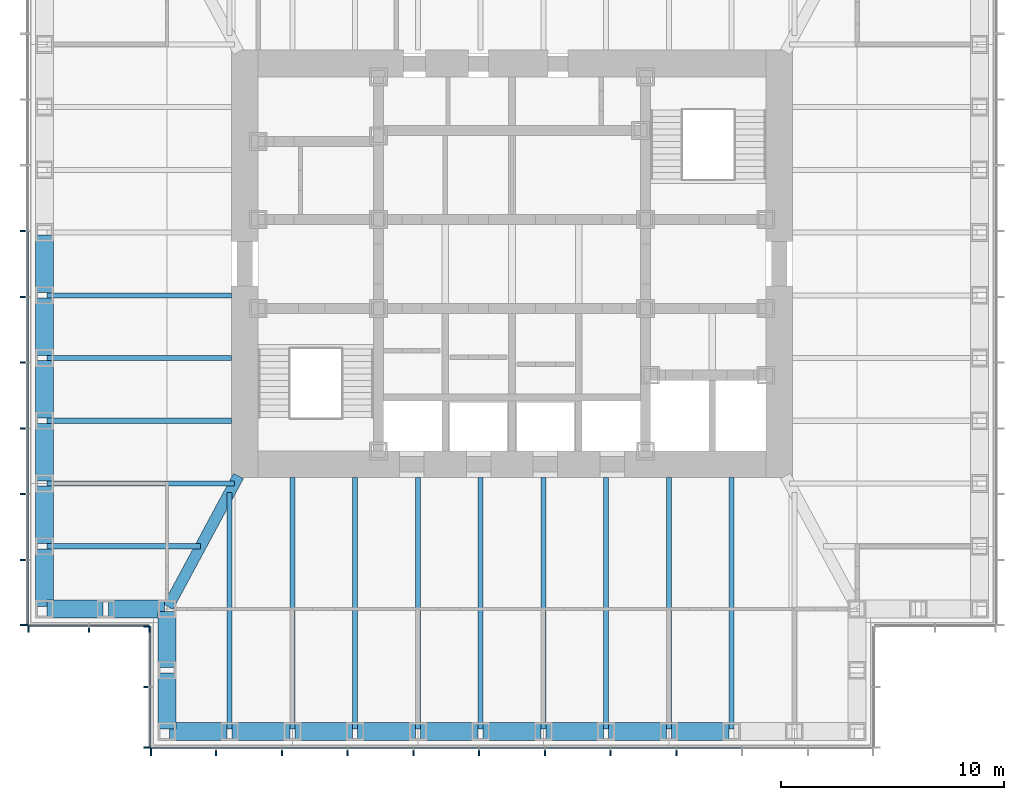
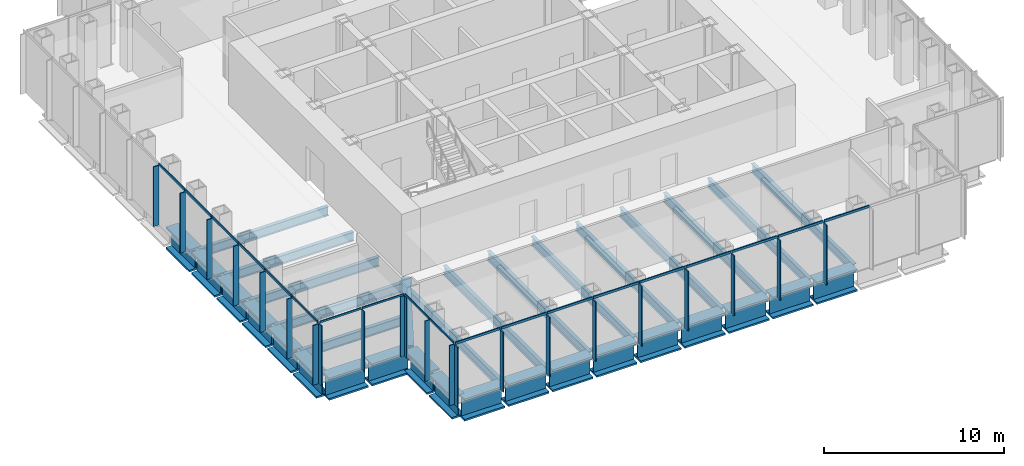
# One storey, part 2 of 16: 41 members, 34 beams, 4 elements without a shape of their own.
"""IFC4 building model written with IfcOpenShell, lengths in metres."""

from ifc_helpers import new_model, si_unit, direction, frame, origin, origin_2d, place, context, subcontext, project, spatial, rectangle, i_section, extrude, material, material_profile, profile_set, type_object, element, aggregate, save


model = new_model("IFC4")

# Units and contexts
model_context = context("Model", 3, precision=1e-05, world=origin(), true_north=direction((0.0, 1.0)))
body_context = subcontext(model_context, "Body", "Model", "MODEL_VIEW")
ifc_project = project(units=[si_unit("LENGTHUNIT", "METRE"), si_unit("AREAUNIT", "SQUARE_METRE"), si_unit("VOLUMEUNIT", "CUBIC_METRE"), si_unit("PLANEANGLEUNIT", "RADIAN"), si_unit("MASSUNIT", "GRAM", prefix="KILO")], contexts=[model_context])

# Site, building, storey
site_placement = place(None, origin())
site = spatial("IfcSite", under=ifc_project, at=site_placement, CompositionType="ELEMENT")
building_placement = place(site_placement, origin())
building = spatial("IfcBuilding", under=site, at=building_placement, Name="Daluyong Arena Tower", CompositionType="ELEMENT")
storey_placement = place(building_placement, frame((0.0, 0.0, 227.5)))
storey = spatial("IfcBuildingStorey", under=building, at=storey_placement, Name="L51", CompositionType="ELEMENT", Elevation=227.5)

# Curtain wall, members
ifc_material_1 = material(Name="Bronze anodised aluminium and glass", Category="aluminium")
curtain_wall_type_1 = type_object("IfcCurtainWallType", Name="Curtain wall CW3", PredefinedType="USERDEFINED", material=ifc_material_1)
curtain_wall_1_placement = place(storey_placement, origin())
curtain_wall_1 = element("IfcCurtainWall", 1, at=curtain_wall_1_placement, inside=storey, type_object=curtain_wall_type_1, Name="curtain wall L51 S", ObjectType="UNITISED CURTAIN WALL", PredefinedType="USERDEFINED")
ifc_material_2 = material(Name="Bronze anodised aluminium fin", Category="aluminium")
ifc_material_profile_1 = material_profile(ifc_material_2, rectangle(XDim=0.35009765625, YDim=0.070068359375, at=origin_2d()))
ifc_profile_set_1 = profile_set([ifc_material_profile_1], Name="Bronze anodised aluminium fin")
member_type_1 = type_object("IfcMemberType", Name="CW3 bronze fin 350x70", PredefinedType="MULLION", material=ifc_profile_set_1)
member_1_placement = place(storey_placement, frame((39.784912109375, 58.074951171875, 0.0), z_axis=(0.0, 0.0, 1.0), x_axis=(0.0, 1.0, 0.0)))
member_1 = element("IfcMember", 2, at=member_1_placement, type_object=member_type_1, Name="curtain wall L51 S fin 1", PredefinedType="MULLION", context=body_context, shape_type="SweptSolid", body=[
    extrude(rectangle(XDim=0.35009765625, YDim=0.070068359375, at=origin_2d()), origin(), (0.0, 0.0, 1.0), 4.0400390625),
])
member_2_placement = place(storey_placement, frame((42.70458984375, 58.074951171875, 0.0), z_axis=(0.0, 0.0, 1.0), x_axis=(0.0, 1.0, 0.0)))
member_2 = element("IfcMember", 3, at=member_2_placement, type_object=member_type_1, Name="curtain wall L51 S fin 2", PredefinedType="MULLION", context=body_context, shape_type="SweptSolid", body=[
    extrude(rectangle(XDim=0.35009765625, YDim=0.070068359375, at=origin_2d()), origin(), (0.0, 0.0, 1.0), 4.0400390625),
])
member_3_placement = place(storey_placement, frame((45.6591796875, 58.074951171875, 0.0), z_axis=(0.0, 0.0, 1.0), x_axis=(0.0, 1.0, 0.0)))
member_3 = element("IfcMember", 4, at=member_3_placement, type_object=member_type_1, Name="curtain wall L51 S fin 3", PredefinedType="MULLION", context=body_context, shape_type="SweptSolid", body=[
    extrude(rectangle(XDim=0.35009765625, YDim=0.070068359375, at=origin_2d()), origin(), (0.0, 0.0, 1.0), 4.0400390625),
])
member_4_placement = place(storey_placement, frame((48.613525390625, 58.074951171875, 0.0), z_axis=(0.0, 0.0, 1.0), x_axis=(0.0, 1.0, 0.0)))
member_4 = element("IfcMember", 5, at=member_4_placement, type_object=member_type_1, Name="curtain wall L51 S fin 4", PredefinedType="MULLION", context=body_context, shape_type="SweptSolid", body=[
    extrude(rectangle(XDim=0.35009765625, YDim=0.070068359375, at=origin_2d()), origin(), (0.0, 0.0, 1.0), 4.0400390625),
])
member_5_placement = place(storey_placement, frame((51.568115234375, 58.074951171875, 0.0), z_axis=(0.0, 0.0, 1.0), x_axis=(0.0, 1.0, 0.0)))
member_5 = element("IfcMember", 6, at=member_5_placement, type_object=member_type_1, Name="curtain wall L51 S fin 5", PredefinedType="MULLION", context=body_context, shape_type="SweptSolid", body=[
    extrude(rectangle(XDim=0.35009765625, YDim=0.070068359375, at=origin_2d()), origin(), (0.0, 0.0, 1.0), 4.0400390625),
])
member_6_placement = place(storey_placement, frame((54.522705078125, 58.074951171875, 0.0), z_axis=(0.0, 0.0, 1.0), x_axis=(0.0, 1.0, 0.0)))
member_6 = element("IfcMember", 7, at=member_6_placement, type_object=member_type_1, Name="curtain wall L51 S fin 6", PredefinedType="MULLION", context=body_context, shape_type="SweptSolid", body=[
    extrude(rectangle(XDim=0.35009765625, YDim=0.070068359375, at=origin_2d()), origin(), (0.0, 0.0, 1.0), 4.0400390625),
])
member_7_placement = place(storey_placement, frame((57.477294921875, 58.074951171875, 0.0), z_axis=(0.0, 0.0, 1.0), x_axis=(0.0, 1.0, 0.0)))
member_7 = element("IfcMember", 8, at=member_7_placement, type_object=member_type_1, Name="curtain wall L51 S fin 7", PredefinedType="MULLION", context=body_context, shape_type="SweptSolid", body=[
    extrude(rectangle(XDim=0.35009765625, YDim=0.070068359375, at=origin_2d()), origin(), (0.0, 0.0, 1.0), 4.0400390625),
])
member_8_placement = place(storey_placement, frame((60.431884765625, 58.074951171875, 0.0), z_axis=(0.0, 0.0, 1.0), x_axis=(0.0, 1.0, 0.0)))
member_8 = element("IfcMember", 9, at=member_8_placement, type_object=member_type_1, Name="curtain wall L51 S fin 8", PredefinedType="MULLION", context=body_context, shape_type="SweptSolid", body=[
    extrude(rectangle(XDim=0.35009765625, YDim=0.070068359375, at=origin_2d()), origin(), (0.0, 0.0, 1.0), 4.0400390625),
])
member_9_placement = place(storey_placement, frame((63.386474609375, 58.074951171875, 0.0), z_axis=(0.0, 0.0, 1.0), x_axis=(0.0, 1.0, 0.0)))
member_9 = element("IfcMember", 10, at=member_9_placement, type_object=member_type_1, Name="curtain wall L51 S fin 9", PredefinedType="MULLION", context=body_context, shape_type="SweptSolid", body=[
    extrude(rectangle(XDim=0.35009765625, YDim=0.070068359375, at=origin_2d()), origin(), (0.0, 0.0, 1.0), 4.0400390625),
])

curtain_wall_2_placement = place(storey_placement, origin())
curtain_wall_2 = element("IfcCurtainWall", 11, at=curtain_wall_2_placement, inside=storey, type_object=curtain_wall_type_1, Name="curtain wall L51 W", ObjectType="UNITISED CURTAIN WALL", PredefinedType="USERDEFINED")
member_10_placement = place(storey_placement, frame((34.074951171875, 81.477294921875, 0.0), z_axis=(0.0, 0.0, 1.0), x_axis=(1.0, 0.0, 0.0)))
member_10 = element("IfcMember", 12, at=member_10_placement, type_object=member_type_1, Name="curtain wall L51 W fin 6", PredefinedType="MULLION", context=body_context, shape_type="SweptSolid", body=[
    extrude(rectangle(XDim=0.35009765625, YDim=0.070068359375, at=origin_2d()), origin(), (0.0, 0.0, 1.0), 4.0400390625),
])
member_11_placement = place(storey_placement, frame((34.074951171875, 78.522705078125, 0.0), z_axis=(0.0, 0.0, 1.0), x_axis=(1.0, 0.0, 0.0)))
member_11 = element("IfcMember", 13, at=member_11_placement, type_object=member_type_1, Name="curtain wall L51 W fin 7", PredefinedType="MULLION", context=body_context, shape_type="SweptSolid", body=[
    extrude(rectangle(XDim=0.35009765625, YDim=0.070068359375, at=origin_2d()), origin(), (0.0, 0.0, 1.0), 4.0400390625),
])
member_12_placement = place(storey_placement, frame((34.074951171875, 75.568115234375, 0.0), z_axis=(0.0, 0.0, 1.0), x_axis=(1.0, 0.0, 0.0)))
member_12 = element("IfcMember", 14, at=member_12_placement, type_object=member_type_1, Name="curtain wall L51 W fin 8", PredefinedType="MULLION", context=body_context, shape_type="SweptSolid", body=[
    extrude(rectangle(XDim=0.35009765625, YDim=0.070068359375, at=origin_2d()), origin(), (0.0, 0.0, 1.0), 4.0400390625),
])
member_13_placement = place(storey_placement, frame((34.074951171875, 72.613525390625, 0.0), z_axis=(0.0, 0.0, 1.0), x_axis=(1.0, 0.0, 0.0)))
member_13 = element("IfcMember", 15, at=member_13_placement, type_object=member_type_1, Name="curtain wall L51 W fin 9", PredefinedType="MULLION", context=body_context, shape_type="SweptSolid", body=[
    extrude(rectangle(XDim=0.35009765625, YDim=0.070068359375, at=origin_2d()), origin(), (0.0, 0.0, 1.0), 4.0400390625),
])
member_14_placement = place(storey_placement, frame((34.074951171875, 69.6591796875, 0.0), z_axis=(0.0, 0.0, 1.0), x_axis=(1.0, 0.0, 0.0)))
member_14 = element("IfcMember", 16, at=member_14_placement, type_object=member_type_1, Name="curtain wall L51 W fin 10", PredefinedType="MULLION", context=body_context, shape_type="SweptSolid", body=[
    extrude(rectangle(XDim=0.35009765625, YDim=0.070068359375, at=origin_2d()), origin(), (0.0, 0.0, 1.0), 4.0400390625),
])
member_15_placement = place(storey_placement, frame((34.074951171875, 66.70458984375, 0.0), z_axis=(0.0, 0.0, 1.0), x_axis=(1.0, 0.0, 0.0)))
member_15 = element("IfcMember", 17, at=member_15_placement, type_object=member_type_1, Name="curtain wall L51 W fin 11", PredefinedType="MULLION", context=body_context, shape_type="SweptSolid", body=[
    extrude(rectangle(XDim=0.35009765625, YDim=0.070068359375, at=origin_2d()), origin(), (0.0, 0.0, 1.0), 4.0400390625),
])
member_16_placement = place(storey_placement, frame((34.074951171875, 63.784912109375, 0.0), z_axis=(0.0, 0.0, 1.0), x_axis=(1.0, 0.0, 0.0)))
member_16 = element("IfcMember", 18, at=member_16_placement, type_object=member_type_1, Name="curtain wall L51 W fin 12", PredefinedType="MULLION", context=body_context, shape_type="SweptSolid", body=[
    extrude(rectangle(XDim=0.35009765625, YDim=0.070068359375, at=origin_2d()), origin(), (0.0, 0.0, 1.0), 4.0400390625),
])

# Member
ifc_material_3 = material(Name="Bronze anodised aluminium", Category="aluminium")
ifc_material_profile_2 = material_profile(ifc_material_3, rectangle(XDim=0.070068359375, YDim=0.159912109375, at=origin_2d()))
ifc_profile_set_2 = profile_set([ifc_material_profile_2], Name="Bronze anodised aluminium")
member_type_2 = type_object("IfcMemberType", Name="CW3 stack transom 160x70", PredefinedType="USERDEFINED", material=ifc_profile_set_2)
member_17_placement = place(storey_placement, frame((39.820068359375, 58.25, 4.1201171875), z_axis=(1.0, 0.0, 0.0), x_axis=(0.0, 1.0, 0.0)))
member_17 = element("IfcMember", 19, at=member_17_placement, type_object=member_type_2, Name="curtain wall L51 S transom 1", ObjectType="TRANSOM", PredefinedType="USERDEFINED", context=body_context, shape_type="SweptSolid", body=[
    extrude(rectangle(XDim=0.070068359375, YDim=0.159912109375, at=origin_2d()), origin(), (0.0, 0.0, 1.0), 2.849365234375),
])

member_18_placement = place(storey_placement, frame((42.739501953125, 58.25, 4.1201171875), z_axis=(1.0, 0.0, 0.0), x_axis=(0.0, 1.0, 0.0)))
member_18 = element("IfcMember", 20, at=member_18_placement, type_object=member_type_2, Name="curtain wall L51 S transom 2", ObjectType="TRANSOM", PredefinedType="USERDEFINED", context=body_context, shape_type="SweptSolid", body=[
    extrude(rectangle(XDim=0.070068359375, YDim=0.159912109375, at=origin_2d()), origin(), (0.0, 0.0, 1.0), 2.884521484375),
])

member_19_placement = place(storey_placement, frame((45.694091796875, 58.25, 4.1201171875), z_axis=(1.0, 0.0, 0.0), x_axis=(0.0, 1.0, 0.0)))
member_19 = element("IfcMember", 21, at=member_19_placement, type_object=member_type_2, Name="curtain wall L51 S transom 3", ObjectType="TRANSOM", PredefinedType="USERDEFINED", context=body_context, shape_type="SweptSolid", body=[
    extrude(rectangle(XDim=0.070068359375, YDim=0.159912109375, at=origin_2d()), origin(), (0.0, 0.0, 1.0), 2.884521484375),
])

member_20_placement = place(storey_placement, frame((48.648681640625, 58.25, 4.1201171875), z_axis=(1.0, 0.0, 0.0), x_axis=(0.0, 1.0, 0.0)))
member_20 = element("IfcMember", 22, at=member_20_placement, type_object=member_type_2, Name="curtain wall L51 S transom 4", ObjectType="TRANSOM", PredefinedType="USERDEFINED", context=body_context, shape_type="SweptSolid", body=[
    extrude(rectangle(XDim=0.070068359375, YDim=0.159912109375, at=origin_2d()), origin(), (0.0, 0.0, 1.0), 2.884521484375),
])

member_21_placement = place(storey_placement, frame((51.603271484375, 58.25, 4.1201171875), z_axis=(1.0, 0.0, 0.0), x_axis=(0.0, 1.0, 0.0)))
member_21 = element("IfcMember", 23, at=member_21_placement, type_object=member_type_2, Name="curtain wall L51 S transom 5", ObjectType="TRANSOM", PredefinedType="USERDEFINED", context=body_context, shape_type="SweptSolid", body=[
    extrude(rectangle(XDim=0.070068359375, YDim=0.159912109375, at=origin_2d()), origin(), (0.0, 0.0, 1.0), 2.884521484375),
])

member_22_placement = place(storey_placement, frame((54.5576171875, 58.25, 4.1201171875), z_axis=(1.0, 0.0, 0.0), x_axis=(0.0, 1.0, 0.0)))
member_22 = element("IfcMember", 24, at=member_22_placement, type_object=member_type_2, Name="curtain wall L51 S transom 6", ObjectType="TRANSOM", PredefinedType="USERDEFINED", context=body_context, shape_type="SweptSolid", body=[
    extrude(rectangle(XDim=0.070068359375, YDim=0.159912109375, at=origin_2d()), origin(), (0.0, 0.0, 1.0), 2.884765625),
])

member_23_placement = place(storey_placement, frame((57.51220703125, 58.25, 4.1201171875), z_axis=(1.0, 0.0, 0.0), x_axis=(0.0, 1.0, 0.0)))
member_23 = element("IfcMember", 25, at=member_23_placement, type_object=member_type_2, Name="curtain wall L51 S transom 7", ObjectType="TRANSOM", PredefinedType="USERDEFINED", context=body_context, shape_type="SweptSolid", body=[
    extrude(rectangle(XDim=0.070068359375, YDim=0.159912109375, at=origin_2d()), origin(), (0.0, 0.0, 1.0), 2.884521484375),
])

member_24_placement = place(storey_placement, frame((60.466796875, 58.25, 4.1201171875), z_axis=(1.0, 0.0, 0.0), x_axis=(0.0, 1.0, 0.0)))
member_24 = element("IfcMember", 26, at=member_24_placement, type_object=member_type_2, Name="curtain wall L51 S transom 8", ObjectType="TRANSOM", PredefinedType="USERDEFINED", context=body_context, shape_type="SweptSolid", body=[
    extrude(rectangle(XDim=0.070068359375, YDim=0.159912109375, at=origin_2d()), origin(), (0.0, 0.0, 1.0), 2.884521484375),
])

member_25_placement = place(storey_placement, frame((63.42138671875, 58.25, 4.1201171875), z_axis=(1.0, 0.0, 0.0), x_axis=(0.0, 1.0, 0.0)))
member_25 = element("IfcMember", 27, at=member_25_placement, type_object=member_type_2, Name="curtain wall L51 S transom 9", ObjectType="TRANSOM", PredefinedType="USERDEFINED", context=body_context, shape_type="SweptSolid", body=[
    extrude(rectangle(XDim=0.070068359375, YDim=0.159912109375, at=origin_2d()), origin(), (0.0, 0.0, 1.0), 2.884521484375),
])

aggregate(curtain_wall_1, [member_1, member_2, member_3, member_4, member_5, member_6, member_7, member_8, member_9, member_17, member_18, member_19, member_20, member_21, member_22, member_23, member_24, member_25])

member_26_placement = place(storey_placement, frame((34.25, 81.4423828125, 4.1201171875), z_axis=(0.0, -1.0, 0.0), x_axis=(1.0, 0.0, 0.0)))
member_26 = element("IfcMember", 28, at=member_26_placement, type_object=member_type_2, Name="curtain wall L51 W transom 6", ObjectType="TRANSOM", PredefinedType="USERDEFINED", context=body_context, shape_type="SweptSolid", body=[
    extrude(rectangle(XDim=0.070068359375, YDim=0.159912109375, at=origin_2d()), origin(), (0.0, 0.0, 1.0), 2.884765625),
])

member_27_placement = place(storey_placement, frame((34.25, 78.48779296875, 4.1201171875), z_axis=(0.0, -1.0, 0.0), x_axis=(1.0, 0.0, 0.0)))
member_27 = element("IfcMember", 29, at=member_27_placement, type_object=member_type_2, Name="curtain wall L51 W transom 7", ObjectType="TRANSOM", PredefinedType="USERDEFINED", context=body_context, shape_type="SweptSolid", body=[
    extrude(rectangle(XDim=0.070068359375, YDim=0.159912109375, at=origin_2d()), origin(), (0.0, 0.0, 1.0), 2.884521484375),
])

member_28_placement = place(storey_placement, frame((34.25, 75.533203125, 4.1201171875), z_axis=(0.0, -1.0, 0.0), x_axis=(1.0, 0.0, 0.0)))
member_28 = element("IfcMember", 30, at=member_28_placement, type_object=member_type_2, Name="curtain wall L51 W transom 8", ObjectType="TRANSOM", PredefinedType="USERDEFINED", context=body_context, shape_type="SweptSolid", body=[
    extrude(rectangle(XDim=0.070068359375, YDim=0.159912109375, at=origin_2d()), origin(), (0.0, 0.0, 1.0), 2.884521484375),
])

member_29_placement = place(storey_placement, frame((34.25, 72.57861328125, 4.1201171875), z_axis=(0.0, -1.0, 0.0), x_axis=(1.0, 0.0, 0.0)))
member_29 = element("IfcMember", 31, at=member_29_placement, type_object=member_type_2, Name="curtain wall L51 W transom 9", ObjectType="TRANSOM", PredefinedType="USERDEFINED", context=body_context, shape_type="SweptSolid", body=[
    extrude(rectangle(XDim=0.070068359375, YDim=0.159912109375, at=origin_2d()), origin(), (0.0, 0.0, 1.0), 2.884521484375),
])

member_30_placement = place(storey_placement, frame((34.25, 69.6240234375, 4.1201171875), z_axis=(0.0, -1.0, 0.0), x_axis=(1.0, 0.0, 0.0)))
member_30 = element("IfcMember", 32, at=member_30_placement, type_object=member_type_2, Name="curtain wall L51 W transom 10", ObjectType="TRANSOM", PredefinedType="USERDEFINED", context=body_context, shape_type="SweptSolid", body=[
    extrude(rectangle(XDim=0.070068359375, YDim=0.159912109375, at=origin_2d()), origin(), (0.0, 0.0, 1.0), 2.884521484375),
])

member_31_placement = place(storey_placement, frame((34.25, 66.66943359375, 4.1201171875), z_axis=(0.0, -1.0, 0.0), x_axis=(1.0, 0.0, 0.0)))
member_31 = element("IfcMember", 33, at=member_31_placement, type_object=member_type_2, Name="curtain wall L51 W transom 11", ObjectType="TRANSOM", PredefinedType="USERDEFINED", context=body_context, shape_type="SweptSolid", body=[
    extrude(rectangle(XDim=0.070068359375, YDim=0.159912109375, at=origin_2d()), origin(), (0.0, 0.0, 1.0), 2.849365234375),
])

aggregate(curtain_wall_2, [member_10, member_11, member_12, member_13, member_14, member_15, member_16, member_26, member_27, member_28, member_29, member_30, member_31])

# Curtain wall, members
ifc_material_4 = material(Name="Bronze anodised aluminium and glass", Category="aluminium")
curtain_wall_type_2 = type_object("IfcCurtainWallType", Name="Curtain wall CW7", PredefinedType="USERDEFINED", material=ifc_material_4)
curtain_wall_3_placement = place(storey_placement, origin())
curtain_wall_3 = element("IfcCurtainWall", 34, at=curtain_wall_3_placement, inside=storey, type_object=curtain_wall_type_2, Name="curtain wall L51 SW-S", ObjectType="UNITISED CURTAIN WALL", PredefinedType="USERDEFINED")
ifc_material_5 = material(Name="Bronze anodised aluminium fin", Category="aluminium")
ifc_material_profile_3 = material_profile(ifc_material_5, rectangle(XDim=0.300048828125, YDim=0.06005859375, at=origin_2d()))
ifc_profile_set_3 = profile_set([ifc_material_profile_3], Name="Bronze anodised aluminium fin")
member_type_3 = type_object("IfcMemberType", Name="CW7 bronze fin 300x60", PredefinedType="MULLION", material=ifc_profile_set_3)
member_32_placement = place(storey_placement, frame((34.280029296875, 63.60009765625, 0.0), z_axis=(0.0, 0.0, 1.0), x_axis=(0.0, 1.0, 0.0)))
member_32 = element("IfcMember", 35, at=member_32_placement, type_object=member_type_3, Name="curtain wall L51 SW-S fin 1", PredefinedType="MULLION", context=body_context, shape_type="SweptSolid", body=[
    extrude(rectangle(XDim=0.300048828125, YDim=0.06005859375, at=origin_2d()), origin(), (0.0, 0.0, 1.0), 4.080078125),
])
member_33_placement = place(storey_placement, frame((37.0, 63.60009765625, 0.0), z_axis=(0.0, 0.0, 1.0), x_axis=(0.0, 1.0, 0.0)))
member_33 = element("IfcMember", 36, at=member_33_placement, type_object=member_type_3, Name="curtain wall L51 SW-S fin 2", PredefinedType="MULLION", context=body_context, shape_type="SweptSolid", body=[
    extrude(rectangle(XDim=0.300048828125, YDim=0.06005859375, at=origin_2d()), origin(), (0.0, 0.0, 1.0), 4.080078125),
])
member_34_placement = place(storey_placement, frame((39.719970703125, 63.60009765625, 0.0), z_axis=(0.0, 0.0, 1.0), x_axis=(0.0, 1.0, 0.0)))
member_34 = element("IfcMember", 37, at=member_34_placement, type_object=member_type_3, Name="curtain wall L51 SW-S fin 3", PredefinedType="MULLION", context=body_context, shape_type="SweptSolid", body=[
    extrude(rectangle(XDim=0.300048828125, YDim=0.06005859375, at=origin_2d()), origin(), (0.0, 0.0, 1.0), 4.080078125),
])

curtain_wall_4_placement = place(storey_placement, origin())
curtain_wall_4 = element("IfcCurtainWall", 38, at=curtain_wall_4_placement, inside=storey, type_object=curtain_wall_type_2, Name="curtain wall L51 SW-W", ObjectType="UNITISED CURTAIN WALL", PredefinedType="USERDEFINED")
member_35_placement = place(storey_placement, frame((39.60009765625, 63.719970703125, 0.0), z_axis=(0.0, 0.0, 1.0), x_axis=(1.0, 0.0, 0.0)))
member_35 = element("IfcMember", 39, at=member_35_placement, type_object=member_type_3, Name="curtain wall L51 SW-W fin 1", PredefinedType="MULLION", context=body_context, shape_type="SweptSolid", body=[
    extrude(rectangle(XDim=0.300048828125, YDim=0.06005859375, at=origin_2d()), origin(), (0.0, 0.0, 1.0), 4.080078125),
])
member_36_placement = place(storey_placement, frame((39.60009765625, 61.0, 0.0), z_axis=(0.0, 0.0, 1.0), x_axis=(1.0, 0.0, 0.0)))
member_36 = element("IfcMember", 40, at=member_36_placement, type_object=member_type_3, Name="curtain wall L51 SW-W fin 2", PredefinedType="MULLION", context=body_context, shape_type="SweptSolid", body=[
    extrude(rectangle(XDim=0.300048828125, YDim=0.06005859375, at=origin_2d()), origin(), (0.0, 0.0, 1.0), 4.080078125),
])
member_37_placement = place(storey_placement, frame((39.60009765625, 58.280029296875, 0.0), z_axis=(0.0, 0.0, 1.0), x_axis=(1.0, 0.0, 0.0)))
member_37 = element("IfcMember", 41, at=member_37_placement, type_object=member_type_3, Name="curtain wall L51 SW-W fin 3", PredefinedType="MULLION", context=body_context, shape_type="SweptSolid", body=[
    extrude(rectangle(XDim=0.300048828125, YDim=0.06005859375, at=origin_2d()), origin(), (0.0, 0.0, 1.0), 4.080078125),
])

# Member
ifc_material_6 = material(Name="Bronze anodised aluminium", Category="aluminium")
ifc_material_profile_4 = material_profile(ifc_material_6, rectangle(XDim=0.06005859375, YDim=0.1201171875, at=origin_2d()))
ifc_profile_set_4 = profile_set([ifc_material_profile_4], Name="Bronze anodised aluminium")
member_type_4 = type_object("IfcMemberType", Name="CW7 stack transom 120x60", PredefinedType="USERDEFINED", material=ifc_profile_set_4)
member_38_placement = place(storey_placement, frame((34.31005859375, 63.75, 4.139892578125), z_axis=(1.0, 0.0, 0.0), x_axis=(0.0, 1.0, 0.0)))
member_38 = element("IfcMember", 42, at=member_38_placement, type_object=member_type_4, Name="curtain wall L51 SW-S transom 1", ObjectType="TRANSOM", PredefinedType="USERDEFINED", context=body_context, shape_type="SweptSolid", body=[
    extrude(rectangle(XDim=0.06005859375, YDim=0.1201171875, at=origin_2d()), origin(), (0.0, 0.0, 1.0), 2.659912109375),
])

member_39_placement = place(storey_placement, frame((37.030029296875, 63.75, 4.139892578125), z_axis=(1.0, 0.0, 0.0), x_axis=(0.0, 1.0, 0.0)))
member_39 = element("IfcMember", 43, at=member_39_placement, type_object=member_type_4, Name="curtain wall L51 SW-S transom 2", ObjectType="TRANSOM", PredefinedType="USERDEFINED", context=body_context, shape_type="SweptSolid", body=[
    extrude(rectangle(XDim=0.06005859375, YDim=0.1201171875, at=origin_2d()), origin(), (0.0, 0.0, 1.0), 2.659912109375),
])

aggregate(curtain_wall_3, [member_32, member_33, member_34, member_38, member_39])

member_40_placement = place(storey_placement, frame((39.75, 63.68994140625, 4.139892578125), z_axis=(0.0, -1.0, 0.0), x_axis=(1.0, 0.0, 0.0)))
member_40 = element("IfcMember", 44, at=member_40_placement, type_object=member_type_4, Name="curtain wall L51 SW-W transom 1", ObjectType="TRANSOM", PredefinedType="USERDEFINED", context=body_context, shape_type="SweptSolid", body=[
    extrude(rectangle(XDim=0.06005859375, YDim=0.1201171875, at=origin_2d()), origin(), (0.0, 0.0, 1.0), 2.659912109375),
])

member_41_placement = place(storey_placement, frame((39.75, 60.969970703125, 4.139892578125), z_axis=(0.0, -1.0, 0.0), x_axis=(1.0, 0.0, 0.0)))
member_41 = element("IfcMember", 45, at=member_41_placement, type_object=member_type_4, Name="curtain wall L51 SW-W transom 2", ObjectType="TRANSOM", PredefinedType="USERDEFINED", context=body_context, shape_type="SweptSolid", body=[
    extrude(rectangle(XDim=0.06005859375, YDim=0.1201171875, at=origin_2d()), origin(), (0.0, 0.0, 1.0), 2.659912109375),
])

aggregate(curtain_wall_4, [member_35, member_36, member_37, member_40, member_41])

# Beams
ifc_material_7 = material(Name="Steel ASTM A572 Grade 50", Category="steel")
ifc_material_profile_5 = material_profile(ifc_material_7, i_section(OverallWidth=0.5, OverallDepth=1.0, WebThickness=0.03, FlangeThickness=0.06, at=origin_2d()))
ifc_profile_set_5 = profile_set([ifc_material_profile_5], Name="Steel ASTM A572 Grade 50")
beam_type_1 = type_object("IfcBeamType", Name="Corner girder TB1000X500", PredefinedType="BEAM", material=ifc_profile_set_5)
beam_1_placement = place(storey_placement, frame((40.554443359375, 64.601318359375, -0.659912109375), z_axis=(0.474119475266, 0.880460517669, 0.0), x_axis=(-0.880460517669, 0.474119475266, 0.0)))
element("IfcBeam", 46, at=beam_1_placement, inside=storey, type_object=beam_type_1, Name="corner girder DG2", PredefinedType="BEAM", context=body_context, shape_type="SweptSolid", body=[
    extrude(i_section(OverallWidth=0.5, OverallDepth=1.0, WebThickness=0.03, FlangeThickness=0.06, at=origin_2d()), origin(), (0.0, 0.0, 1.0), 6.66748046875),
])
ifc_material_8 = material(Name="Steel ASTM A992 Grade 50", Category="steel")
ifc_material_profile_6 = material_profile(ifc_material_8, i_section(OverallWidth=0.22900390625, OverallDepth=0.612060546875, WebThickness=0.011962890625, FlangeThickness=0.01953125, at=origin_2d()))
ifc_profile_set_6 = profile_set([ifc_material_profile_6], Name="Steel ASTM A992 Grade 50")
beam_type_2 = type_object("IfcBeamType", Name="Floor beam W24X84", PredefinedType="BEAM", material=ifc_profile_set_6)
beam_2_placement = place(storey_placement, frame((43.318115234375, 59.114990234375, -0.466064453125), z_axis=(0.0, 1.0, 0.0), x_axis=(-1.0, 0.0, 0.0)))
element("IfcBeam", 47, at=beam_2_placement, inside=storey, type_object=beam_type_2, Name="floor beam FB3", PredefinedType="BEAM", context=body_context, shape_type="SweptSolid", body=[
    extrude(i_section(OverallWidth=0.22900390625, OverallDepth=0.612060546875, WebThickness=0.011962890625, FlangeThickness=0.01953125, at=origin_2d()), origin(), (0.0, 0.0, 1.0), 10.618896484375),
])
for number, where, z_axis, x_axis, name in (
    (48, (46.136474609375, 59.114990234375, -0.466064453125), (0.0, 1.0, 0.0), (-1.0, 0.0, 0.0), "floor beam FB3"),
    (49, (48.95458984375, 59.114990234375, -0.466064453125), (0.0, 1.0, 0.0), (-1.0, 0.0, 0.0), "floor beam FB3"),
    (50, (51.772705078125, 59.114990234375, -0.466064453125), (0.0, 1.0, 0.0), (-1.0, 0.0, 0.0), "floor beam FB3"),
    (51, (54.5908203125, 59.114990234375, -0.466064453125), (0.0, 1.0, 0.0), (-1.0, 0.0, 0.0), "floor beam FB3"),
    (52, (57.4091796875, 59.114990234375, -0.466064453125), (0.0, 1.0, 0.0), (-1.0, 0.0, 0.0), "floor beam FB3"),
    (53, (60.227294921875, 59.114990234375, -0.466064453125), (0.0, 1.0, 0.0), (-1.0, 0.0, 0.0), "floor beam FB3"),
    (54, (63.04541015625, 59.114990234375, -0.466064453125), (0.0, 1.0, 0.0), (-1.0, 0.0, 0.0), "floor beam FB3"),
    (55, (65.863525390625, 59.114990234375, -0.466064453125), (0.0, 1.0, 0.0), (-1.0, 0.0, 0.0), "floor beam FB3"),
):
    element("IfcBeam", number, at=place(storey_placement, frame(where, z_axis=z_axis, x_axis=x_axis)), inside=storey, type_object=beam_type_2, Name=name, PredefinedType="BEAM", context=body_context, shape_type="SweptSolid", body=[
        extrude(i_section(OverallWidth=0.22900390625, OverallDepth=0.612060546875, WebThickness=0.011962890625, FlangeThickness=0.01953125, at=origin_2d()), origin(), (0.0, 0.0, 1.0), 11.284912109375),
    ])
for number, where, z_axis, x_axis, name in (
    (56, (35.114990234375, 78.5908203125, -0.466064453125), (1.0, 0.0, 0.0), (0.0, 1.0, 0.0), "floor beam FB3"),
    (57, (35.114990234375, 75.772705078125, -0.466064453125), (1.0, 0.0, 0.0), (0.0, 1.0, 0.0), "floor beam FB3"),
    (58, (35.114990234375, 72.95458984375, -0.466064453125), (1.0, 0.0, 0.0), (0.0, 1.0, 0.0), "floor beam FB3"),
):
    element("IfcBeam", number, at=place(storey_placement, frame(where, z_axis=z_axis, x_axis=x_axis)), inside=storey, type_object=beam_type_2, Name=name, PredefinedType="BEAM", context=body_context, shape_type="SweptSolid", body=[
        extrude(i_section(OverallWidth=0.22900390625, OverallDepth=0.612060546875, WebThickness=0.011962890625, FlangeThickness=0.01953125, at=origin_2d()), origin(), (0.0, 0.0, 1.0), 8.284912109375),
    ])
beam_3_placement = place(storey_placement, frame((35.114990234375, 70.136474609375, -0.466064453125), z_axis=(1.0, 0.0, 0.0), x_axis=(0.0, 1.0, 0.0)))
element("IfcBeam", 59, at=beam_3_placement, inside=storey, type_object=beam_type_2, Name="floor beam FB3", PredefinedType="BEAM", context=body_context, shape_type="SweptSolid", body=[
    extrude(i_section(OverallWidth=0.22900390625, OverallDepth=0.612060546875, WebThickness=0.011962890625, FlangeThickness=0.01953125, at=origin_2d()), origin(), (0.0, 0.0, 1.0), 8.419921875),
])
beam_4_placement = place(storey_placement, frame((35.114990234375, 67.318115234375, -0.466064453125), z_axis=(1.0, 0.0, 0.0), x_axis=(0.0, 1.0, 0.0)))
element("IfcBeam", 60, at=beam_4_placement, inside=storey, type_object=beam_type_2, Name="floor beam FB3", PredefinedType="BEAM", context=body_context, shape_type="SweptSolid", body=[
    extrude(i_section(OverallWidth=0.22900390625, OverallDepth=0.612060546875, WebThickness=0.011962890625, FlangeThickness=0.01953125, at=origin_2d()), origin(), (0.0, 0.0, 1.0), 6.902587890625),
])
ifc_material_9 = material(Name="Steel ASTM A588 Grade 50", Category="steel")
ifc_material_profile_7 = material_profile(ifc_material_9, i_section(OverallWidth=0.800048828125, OverallDepth=1.5, WebThickness=0.05, FlangeThickness=0.12, at=origin_2d()))
ifc_profile_set_7 = profile_set([ifc_material_profile_7], Name="Steel ASTM A588 Grade 50")
beam_type_3 = type_object("IfcBeamType", Name="Spandrel Z3 PG1500X800", PredefinedType="SPANDREL", material=ifc_profile_set_7)
beam_5_placement = place(storey_placement, frame((40.614990234375, 59.0, -0.909912109375), z_axis=(1.0, 0.0, 0.0), x_axis=(0.0, 1.0, 0.0)))
element("IfcBeam", 61, at=beam_5_placement, inside=storey, type_object=beam_type_3, Name="spandrel z3 SB7", PredefinedType="SPANDREL", context=body_context, shape_type="SweptSolid", body=[
    extrude(i_section(OverallWidth=0.800048828125, OverallDepth=1.5, WebThickness=0.05, FlangeThickness=0.12, at=origin_2d()), origin(), (0.0, 0.0, 1.0), 2.588134765625),
])
beam_6_placement = place(storey_placement, frame((43.43310546875, 59.0, -0.909912109375), z_axis=(1.0, 0.0, 0.0), x_axis=(0.0, 1.0, 0.0)))
element("IfcBeam", 62, at=beam_6_placement, inside=storey, type_object=beam_type_3, Name="spandrel z3 SB7", PredefinedType="SPANDREL", context=body_context, shape_type="SweptSolid", body=[
    extrude(i_section(OverallWidth=0.800048828125, OverallDepth=1.5, WebThickness=0.05, FlangeThickness=0.12, at=origin_2d()), origin(), (0.0, 0.0, 1.0), 2.58837890625),
])
for number, where, z_axis, x_axis, name in (
    (63, (46.25146484375, 59.0, -0.909912109375), (1.0, 0.0, 0.0), (0.0, 1.0, 0.0), "spandrel z3 SB7"),
    (64, (49.069580078125, 59.0, -0.909912109375), (1.0, 0.0, 0.0), (0.0, 1.0, 0.0), "spandrel z3 SB7"),
    (65, (51.8876953125, 59.0, -0.909912109375), (1.0, 0.0, 0.0), (0.0, 1.0, 0.0), "spandrel z3 SB7"),
):
    element("IfcBeam", number, at=place(storey_placement, frame(where, z_axis=z_axis, x_axis=x_axis)), inside=storey, type_object=beam_type_3, Name=name, PredefinedType="SPANDREL", context=body_context, shape_type="SweptSolid", body=[
        extrude(i_section(OverallWidth=0.800048828125, OverallDepth=1.5, WebThickness=0.05, FlangeThickness=0.12, at=origin_2d()), origin(), (0.0, 0.0, 1.0), 2.588134765625),
    ])
beam_7_placement = place(storey_placement, frame((54.705810546875, 59.0, -0.909912109375), z_axis=(1.0, 0.0, 0.0), x_axis=(0.0, 1.0, 0.0)))
element("IfcBeam", 66, at=beam_7_placement, inside=storey, type_object=beam_type_3, Name="spandrel z3 SB7", PredefinedType="SPANDREL", context=body_context, shape_type="SweptSolid", body=[
    extrude(i_section(OverallWidth=0.800048828125, OverallDepth=1.5, WebThickness=0.05, FlangeThickness=0.12, at=origin_2d()), origin(), (0.0, 0.0, 1.0), 2.58837890625),
])
for number, where, z_axis, x_axis, name in (
    (67, (57.524169921875, 59.0, -0.909912109375), (1.0, 0.0, 0.0), (0.0, 1.0, 0.0), "spandrel z3 SB7"),
    (68, (60.34228515625, 59.0, -0.909912109375), (1.0, 0.0, 0.0), (0.0, 1.0, 0.0), "spandrel z3 SB7"),
    (69, (63.160400390625, 59.0, -0.909912109375), (1.0, 0.0, 0.0), (0.0, 1.0, 0.0), "spandrel z3 SB7"),
):
    element("IfcBeam", number, at=place(storey_placement, frame(where, z_axis=z_axis, x_axis=x_axis)), inside=storey, type_object=beam_type_3, Name=name, PredefinedType="SPANDREL", context=body_context, shape_type="SweptSolid", body=[
        extrude(i_section(OverallWidth=0.800048828125, OverallDepth=1.5, WebThickness=0.05, FlangeThickness=0.12, at=origin_2d()), origin(), (0.0, 0.0, 1.0), 2.588134765625),
    ])
beam_8_placement = place(storey_placement, frame((35.0, 81.294189453125, -0.909912109375), z_axis=(0.0, -1.0, 0.0), x_axis=(1.0, 0.0, 0.0)))
element("IfcBeam", 70, at=beam_8_placement, inside=storey, type_object=beam_type_3, Name="spandrel z3 SB7", PredefinedType="SPANDREL", context=body_context, shape_type="SweptSolid", body=[
    extrude(i_section(OverallWidth=0.800048828125, OverallDepth=1.5, WebThickness=0.05, FlangeThickness=0.12, at=origin_2d()), origin(), (0.0, 0.0, 1.0), 2.58837890625),
])
for number, where, z_axis, x_axis, name in (
    (71, (35.0, 78.475830078125, -0.909912109375), (0.0, -1.0, 0.0), (1.0, 0.0, 0.0), "spandrel z3 SB7"),
    (72, (35.0, 75.65771484375, -0.909912109375), (0.0, -1.0, 0.0), (1.0, 0.0, 0.0), "spandrel z3 SB7"),
    (73, (35.0, 72.839599609375, -0.909912109375), (0.0, -1.0, 0.0), (1.0, 0.0, 0.0), "spandrel z3 SB7"),
):
    element("IfcBeam", number, at=place(storey_placement, frame(where, z_axis=z_axis, x_axis=x_axis)), inside=storey, type_object=beam_type_3, Name=name, PredefinedType="SPANDREL", context=body_context, shape_type="SweptSolid", body=[
        extrude(i_section(OverallWidth=0.800048828125, OverallDepth=1.5, WebThickness=0.05, FlangeThickness=0.12, at=origin_2d()), origin(), (0.0, 0.0, 1.0), 2.588134765625),
    ])
beam_9_placement = place(storey_placement, frame((35.0, 70.021484375, -0.909912109375), z_axis=(0.0, -1.0, 0.0), x_axis=(1.0, 0.0, 0.0)))
element("IfcBeam", 74, at=beam_9_placement, inside=storey, type_object=beam_type_3, Name="spandrel z3 SB7", PredefinedType="SPANDREL", context=body_context, shape_type="SweptSolid", body=[
    extrude(i_section(OverallWidth=0.800048828125, OverallDepth=1.5, WebThickness=0.05, FlangeThickness=0.12, at=origin_2d()), origin(), (0.0, 0.0, 1.0), 2.58837890625),
])
beam_10_placement = place(storey_placement, frame((35.0, 67.203125, -0.909912109375), z_axis=(0.0, -1.0, 0.0), x_axis=(1.0, 0.0, 0.0)))
element("IfcBeam", 75, at=beam_10_placement, inside=storey, type_object=beam_type_3, Name="spandrel z3 SB7", PredefinedType="SPANDREL", context=body_context, shape_type="SweptSolid", body=[
    extrude(i_section(OverallWidth=0.800048828125, OverallDepth=1.5, WebThickness=0.05, FlangeThickness=0.12, at=origin_2d()), origin(), (0.0, 0.0, 1.0), 2.588134765625),
])
for number, where, z_axis, x_axis, name in (
    (76, (35.114990234375, 64.5, -0.909912109375), (1.0, 0.0, 0.0), (0.0, 1.0, 0.0), "spandrel z3 SB7"),
    (77, (37.864990234375, 64.5, -0.909912109375), (1.0, 0.0, 0.0), (0.0, 1.0, 0.0), "spandrel z3 SB7"),
    (78, (40.5, 64.385009765625, -0.909912109375), (0.0, -1.0, 0.0), (1.0, 0.0, 0.0), "spandrel z3 SB7"),
    (79, (40.5, 61.635009765625, -0.909912109375), (0.0, -1.0, 0.0), (1.0, 0.0, 0.0), "spandrel z3 SB7"),
):
    element("IfcBeam", number, at=place(storey_placement, frame(where, z_axis=z_axis, x_axis=x_axis)), inside=storey, type_object=beam_type_3, Name=name, PredefinedType="SPANDREL", context=body_context, shape_type="SweptSolid", body=[
        extrude(i_section(OverallWidth=0.800048828125, OverallDepth=1.5, WebThickness=0.05, FlangeThickness=0.12, at=origin_2d()), origin(), (0.0, 0.0, 1.0), 2.52001953125),
    ])

save(model, "model.ifc")
